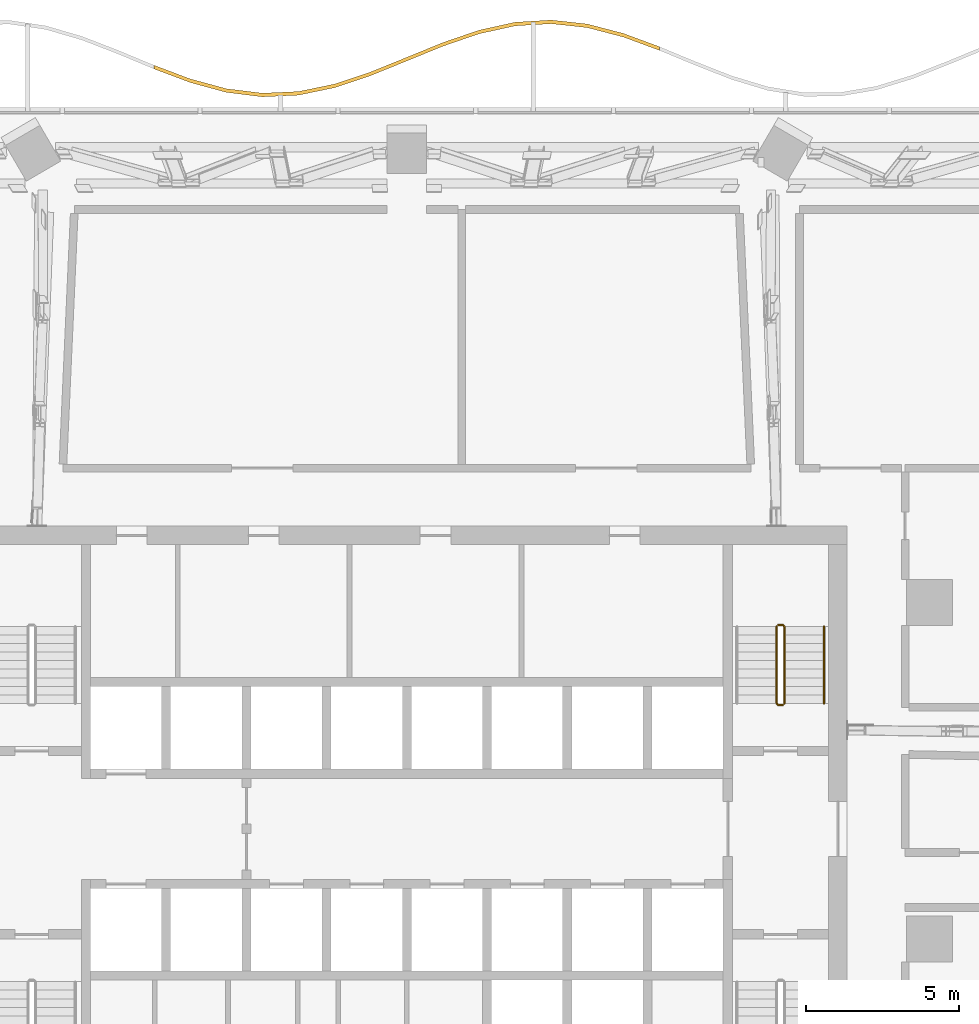
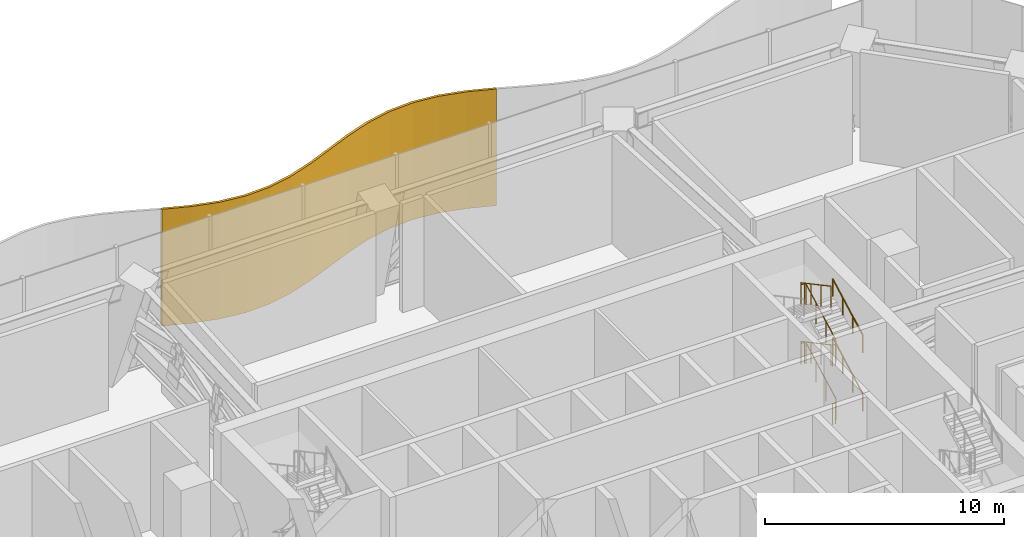
# One storey, part 31 of 32: 7 railings, 1 shading device.
"""IFC4 building model written with IfcOpenShell, lengths in metres."""

from ifc_helpers import new_model, si_unit, direction, frame, origin, origin_2d, place, context, subcontext, project, spatial, polyline, circle, outline, extrude, material, layer, layer_set, type_object, element, save


model = new_model("IFC4")

# Units and contexts
model_context = context("Model", 3, precision=1e-05, world=origin(), true_north=direction((0.0, 1.0)))
body_context = subcontext(model_context, "Body", "Model", "MODEL_VIEW")
ifc_project = project(units=[si_unit("LENGTHUNIT", "METRE"), si_unit("AREAUNIT", "SQUARE_METRE"), si_unit("VOLUMEUNIT", "CUBIC_METRE"), si_unit("PLANEANGLEUNIT", "RADIAN"), si_unit("MASSUNIT", "GRAM", prefix="KILO")], contexts=[model_context])

# Site, building, storey
site_placement = place(None, origin())
site = spatial("IfcSite", under=ifc_project, at=site_placement, CompositionType="ELEMENT")
building_placement = place(site_placement, origin())
building = spatial("IfcBuilding", under=site, at=building_placement, Name="Mopane Tessera Tower", CompositionType="ELEMENT")
storey_placement = place(building_placement, frame((0.0, 0.0, 88.60009765625)))
storey = spatial("IfcBuildingStorey", under=building, at=storey_placement, Name="L17", CompositionType="ELEMENT", Elevation=88.60009765625)

# Railings
ifc_material_1 = material(Name="Powder-coated steel balustrade", Category="steel")
railing_type_1 = type_object("IfcRailingType", Name="Escape stair guard 1100 mm", PredefinedType="GUARDRAIL", material=ifc_material_1)
railing_1_placement = place(storey_placement, frame((12.35009765625, 7.699951171875, 0.14990234375)))
element("IfcRailing", 1, at=railing_1_placement, inside=storey, type_object=railing_type_1, Name="L17 ST4 stair guard 1", PredefinedType="GUARDRAIL", context=body_context, shape_type="SweptSolid", body=[
    extrude(circle(Radius=0.02392578125, at=origin_2d()), frame((0.0, 0.0, 1.076171875), z_axis=(0.0, 0.881467274426, 0.472245110209), x_axis=(-1.0, 0.0, 0.0)), (0.0, 0.0, 1.0), 2.85888671875),
    extrude(circle(Radius=0.02392578125, at=origin_2d()), frame((0.0, 2.52001953125, 2.42626953125), z_axis=(-0.707106781187, 0.707106781187, 0.0), x_axis=(-0.707106781187, -0.707106781187, 0.0)), (0.0, 0.0, 1.0), 0.07080078125),
    extrude(circle(Radius=0.02392578125, at=origin_2d()), frame((-0.050048828125, 2.570068359375, 2.42626953125), z_axis=(-1.0, 0.0, 0.0), x_axis=(0.0, -1.0, 0.0)), (0.0, 0.0, 1.0), 0.150146484375),
    extrude(circle(Radius=0.02099609375, at=origin_2d()), origin(), (0.0, 0.0, 1.0), 1.052001953125),
    extrude(circle(Radius=0.02099609375, at=origin_2d()), frame((0.0, 0.840087890625, 0.449951171875)), (0.0, 0.0, 1.0), 1.052001953125),
    extrude(circle(Radius=0.02099609375, at=origin_2d()), frame((0.0, 1.679931640625, 0.900146484375)), (0.0, 0.0, 1.0), 1.052001953125),
    extrude(circle(Radius=0.02099609375, at=origin_2d()), frame((0.0, 2.52001953125, 1.35009765625)), (0.0, 0.0, 1.0), 1.052001953125),
    extrude(circle(Radius=0.02099609375, at=origin_2d()), frame((-0.050048828125, 2.570068359375, 1.35009765625)), (0.0, 0.0, 1.0), 1.052001953125),
    extrude(circle(Radius=0.02099609375, at=origin_2d()), frame((-0.2001953125, 2.570068359375, 1.35009765625)), (0.0, 0.0, 1.0), 1.052001953125),
])
railing_2_placement = place(storey_placement, frame((12.10009765625, 10.219970703125, 1.64990234375)))
element("IfcRailing", 2, at=railing_2_placement, inside=storey, type_object=railing_type_1, Name="L17 ST4 stair guard 2", PredefinedType="GUARDRAIL", context=body_context, shape_type="SweptSolid", body=[
    extrude(circle(Radius=0.02392578125, at=origin_2d()), frame((0.0, 0.0, 1.076171875), z_axis=(0.0, -0.881467274426, 0.472245110209), x_axis=(1.0, 0.0, 0.0)), (0.0, 0.0, 1.0), 2.85888671875),
    extrude(circle(Radius=0.02392578125, at=origin_2d()), frame((0.0, -2.52001953125, 2.42626953125), z_axis=(0.705375805398, -0.708833529934, 0.0), x_axis=(0.708833529934, 0.705375805398, 0.0)), (0.0, 0.0, 1.0), 0.070556640625),
    extrude(circle(Radius=0.02392578125, at=origin_2d()), frame((0.0498046875, -2.570068359375, 2.42626953125), z_axis=(1.0, 0.0, 0.0), x_axis=(0.0, 1.0, 0.0)), (0.0, 0.0, 1.0), 0.150146484375),
    extrude(circle(Radius=0.02099609375, at=origin_2d()), origin(), (0.0, 0.0, 1.0), 1.052001953125),
    extrude(circle(Radius=0.02099609375, at=origin_2d()), frame((0.0, -0.840087890625, 0.449951171875)), (0.0, 0.0, 1.0), 1.052001953125),
    extrude(circle(Radius=0.02099609375, at=origin_2d()), frame((0.0, -1.679931640625, 0.900146484375)), (0.0, 0.0, 1.0), 1.052001953125),
    extrude(circle(Radius=0.02099609375, at=origin_2d()), frame((0.0, -2.52001953125, 1.35009765625)), (0.0, 0.0, 1.0), 1.052001953125),
    extrude(circle(Radius=0.02099609375, at=origin_2d()), frame((0.0498046875, -2.570068359375, 1.35009765625)), (0.0, 0.0, 1.0), 1.052001953125),
    extrude(circle(Radius=0.02099609375, at=origin_2d()), frame((0.199951171875, -2.570068359375, 1.35009765625)), (0.0, 0.0, 1.0), 1.052001953125),
])
railing_3_placement = place(storey_placement, frame((12.35009765625, 7.699951171875, 3.14990234375)))
element("IfcRailing", 3, at=railing_3_placement, inside=storey, type_object=railing_type_1, Name="L17 ST4 stair guard 3", PredefinedType="GUARDRAIL", context=body_context, shape_type="SweptSolid", body=[
    extrude(circle(Radius=0.02392578125, at=origin_2d()), frame((0.0, 0.0, 1.076171875), z_axis=(0.0, 0.881467274426, 0.472245110209), x_axis=(-1.0, 0.0, 0.0)), (0.0, 0.0, 1.0), 2.85888671875),
    extrude(circle(Radius=0.02392578125, at=origin_2d()), frame((0.0, 2.52001953125, 2.42626953125), z_axis=(-0.707106781187, 0.707106781187, 0.0), x_axis=(-0.707106781187, -0.707106781187, 0.0)), (0.0, 0.0, 1.0), 0.07080078125),
    extrude(circle(Radius=0.02392578125, at=origin_2d()), frame((-0.050048828125, 2.570068359375, 2.42626953125), z_axis=(-1.0, 0.0, 0.0), x_axis=(0.0, -1.0, 0.0)), (0.0, 0.0, 1.0), 0.150146484375),
    extrude(circle(Radius=0.02099609375, at=origin_2d()), origin(), (0.0, 0.0, 1.0), 1.052001953125),
    extrude(circle(Radius=0.02099609375, at=origin_2d()), frame((0.0, 0.840087890625, 0.449951171875)), (0.0, 0.0, 1.0), 1.052001953125),
    extrude(circle(Radius=0.02099609375, at=origin_2d()), frame((0.0, 1.679931640625, 0.900146484375)), (0.0, 0.0, 1.0), 1.052001953125),
    extrude(circle(Radius=0.02099609375, at=origin_2d()), frame((0.0, 2.52001953125, 1.35009765625)), (0.0, 0.0, 1.0), 1.052001953125),
    extrude(circle(Radius=0.02099609375, at=origin_2d()), frame((-0.050048828125, 2.570068359375, 1.35009765625)), (0.0, 0.0, 1.0), 1.052001953125),
    extrude(circle(Radius=0.02099609375, at=origin_2d()), frame((-0.2001953125, 2.570068359375, 1.35009765625)), (0.0, 0.0, 1.0), 1.052001953125),
])
railing_4_placement = place(storey_placement, frame((12.10009765625, 10.219970703125, 4.64990234375)))
element("IfcRailing", 4, at=railing_4_placement, inside=storey, type_object=railing_type_1, Name="L17 ST4 stair guard 4", PredefinedType="GUARDRAIL", context=body_context, shape_type="SweptSolid", body=[
    extrude(circle(Radius=0.02392578125, at=origin_2d()), frame((0.0, 0.0, 1.076171875), z_axis=(0.0, -0.881467274426, 0.472245110209), x_axis=(1.0, 0.0, 0.0)), (0.0, 0.0, 1.0), 2.85888671875),
    extrude(circle(Radius=0.02099609375, at=origin_2d()), origin(), (0.0, 0.0, 1.0), 1.052001953125),
    extrude(circle(Radius=0.02099609375, at=origin_2d()), frame((0.0, -0.840087890625, 0.449951171875)), (0.0, 0.0, 1.0), 1.052001953125),
    extrude(circle(Radius=0.02099609375, at=origin_2d()), frame((0.0, -1.679931640625, 0.900146484375)), (0.0, 0.0, 1.0), 1.052001953125),
    extrude(circle(Radius=0.02099609375, at=origin_2d()), frame((0.0, -2.52001953125, 1.35009765625)), (0.0, 0.0, 1.0), 1.052001953125),
])
railing_5_placement = place(storey_placement, frame((12.300048828125, 7.64990234375, 0.0)))
element("IfcRailing", 5, at=railing_5_placement, inside=storey, type_object=railing_type_1, Name="L17 ST4 stair guard 5", PredefinedType="GUARDRAIL", context=body_context, shape_type="SweptSolid", body=[
    extrude(circle(Radius=0.02392578125, at=origin_2d()), frame((0.0, 0.0, 1.076171875), z_axis=(-1.0, 0.0, 0.0), x_axis=(0.0, -1.0, 0.0)), (0.0, 0.0, 1.0), 0.150146484375),
    extrude(circle(Radius=0.02099609375, at=origin_2d()), origin(), (0.0, 0.0, 1.0), 1.052001953125),
    extrude(circle(Radius=0.02099609375, at=origin_2d()), frame((-0.150146484375, 0.0, 0.0)), (0.0, 0.0, 1.0), 1.052001953125),
])
ifc_material_2 = material(Name="Powder-coated steel balustrade", Category="steel")
railing_type_2 = type_object("IfcRailingType", Name="Escape stair handrail 900 mm", PredefinedType="HANDRAIL", material=ifc_material_2)
for number, where, name in (
    (6, (13.64990234375, 7.699951171875, 0.14990234375), "L17 ST4 stair handrail 1"),
    (7, (13.64990234375, 7.699951171875, 3.14990234375), "L17 ST4 stair handrail 3"),
):
    element("IfcRailing", number, at=place(storey_placement, frame(where)), inside=storey, type_object=railing_type_2, Name=name, PredefinedType="HANDRAIL", context=body_context, shape_type="SweptSolid", body=[
        extrude(circle(Radius=0.02392578125, at=origin_2d()), frame((0.0, 0.0, 0.8759765625), z_axis=(0.0, 0.881467274426, 0.472245110209), x_axis=(-1.0, 0.0, 0.0)), (0.0, 0.0, 1.0), 2.85888671875),
        extrude(circle(Radius=0.02099609375, at=origin_2d()), origin(), (0.0, 0.0, 1.0), 0.851806640625),
        extrude(circle(Radius=0.02099609375, at=origin_2d()), frame((0.0, 0.840087890625, 0.449951171875)), (0.0, 0.0, 1.0), 0.851806640625),
        extrude(circle(Radius=0.02099609375, at=origin_2d()), frame((0.0, 1.679931640625, 0.900146484375)), (0.0, 0.0, 1.0), 0.851806640625),
        extrude(circle(Radius=0.02099609375, at=origin_2d()), frame((0.0, 2.52001953125, 1.35009765625)), (0.0, 0.0, 1.0), 0.851806640625),
    ])

# Shading device
ifc_material_3 = material(Name="Anodised aluminium louvre blades", Category="aluminium")
ifc_layer = layer(ifc_material_3, 0.1201171875)
ifc_layer_set = layer_set([ifc_layer], Name="Anodised aluminium louvre blades")
shading_device_type = type_object("IfcShadingDeviceType", Name="Wave louvre screen", PredefinedType="JALOUSIE", material=ifc_layer_set)
shading_device_placement = place(storey_placement, frame((0.0, 0.0, -0.420166015625)))
element("IfcShadingDevice", 8, at=shading_device_placement, inside=storey, type_object=shading_device_type, Name="e:lv:L17:N:1", PredefinedType="JALOUSIE", context=body_context, shape_type="SweptSolid", body=[
    extrude(outline(polyline([(8.2666015625, 29.06396484375), (7.085693359375, 29.499755859375), (5.90478515625, 29.808349609375), (4.723876953125, 29.937744140625), (3.54296875, 29.86669921875), (2.36181640625, 29.606689453125), (1.180908203125, 29.201416015625), (0.0, 28.718994140625), (-1.180908203125, 28.239990234375), (-2.36181640625, 27.844970703125), (-3.54296875, 27.599609375), (-4.723876953125, 27.54541015625), (-5.90478515625, 27.69140625), (-7.085693359375, 28.012939453125), (-8.2666015625, 28.45654296875), (-8.2666015625, 28.576416015625), (-7.085693359375, 28.133056640625), (-5.90478515625, 27.8115234375), (-4.723876953125, 27.66552734375), (-3.54296875, 27.7197265625), (-2.36181640625, 27.96484375), (-1.180908203125, 28.360107421875), (0.0, 28.839111328125), (1.180908203125, 29.321533203125), (2.36181640625, 29.7265625), (3.54296875, 29.986572265625), (4.723876953125, 30.057861328125), (5.90478515625, 29.92822265625), (7.085693359375, 29.619873046875), (8.2666015625, 29.18408203125), (8.2666015625, 29.06396484375)])), origin(), (0.0, 0.0, 1.0), 5.969970703125),
])

save(model, "model.ifc")
